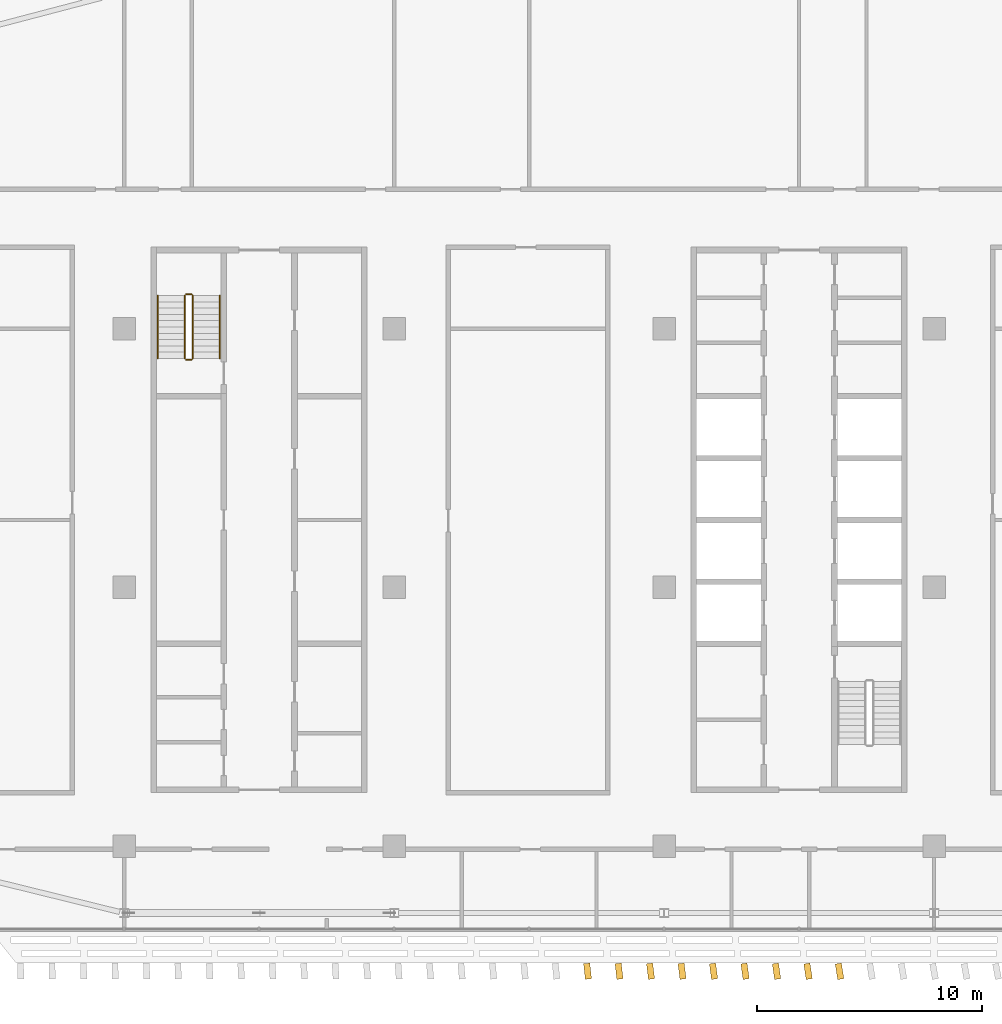
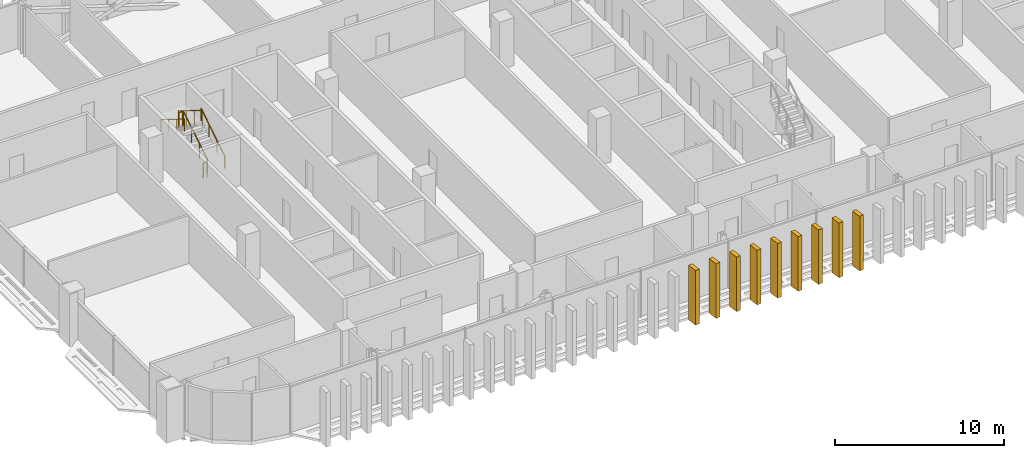
# One storey, part 28 of 34: 9 coverings, 6 railings.
"""IFC4 building model written with IfcOpenShell, lengths in metres."""

from ifc_helpers import new_model, si_unit, direction, frame, origin, origin_2d, place, context, subcontext, project, spatial, rectangle, circle, extrude, material, layer, layer_set, type_object, element, save


model = new_model("IFC4")

# Units and contexts
model_context = context("Model", 3, precision=1e-05, world=origin(), true_north=direction((0.0, 1.0)))
body_context = subcontext(model_context, "Body", "Model", "MODEL_VIEW")
ifc_project = project(units=[si_unit("LENGTHUNIT", "METRE"), si_unit("AREAUNIT", "SQUARE_METRE"), si_unit("VOLUMEUNIT", "CUBIC_METRE"), si_unit("PLANEANGLEUNIT", "RADIAN"), si_unit("MASSUNIT", "GRAM", prefix="KILO")], contexts=[model_context])

# Site, building, storey
site_placement = place(None, origin())
site = spatial("IfcSite", under=ifc_project, at=site_placement, CompositionType="ELEMENT")
building_placement = place(site_placement, origin())
building = spatial("IfcBuilding", under=site, at=building_placement, Name="Mahtab Terrace Research Tower", CompositionType="ELEMENT")
storey_placement = place(building_placement, frame((0.0, 0.0, 247.60009765625)))
storey = spatial("IfcBuildingStorey", under=building, at=storey_placement, Name="L60", CompositionType="ELEMENT", Elevation=247.60009765625)

# Railings
ifc_material_1 = material(Name="Stainless steel AISI 304", Category="steel")
railing_type_1 = type_object("IfcRailingType", Name="Stair guard 1100", PredefinedType="GUARDRAIL", material=ifc_material_1)
railing_1_placement = place(storey_placement, frame((-26.949951171875, 10.175048828125, 0.172607421875)))
element("IfcRailing", 1, at=railing_1_placement, inside=storey, type_object=railing_type_1, Name="L60 ST1 stair guard 1", PredefinedType="GUARDRAIL", context=body_context, shape_type="SweptSolid", body=[
    extrude(circle(Radius=0.02392578125, at=origin_2d()), frame((0.0, 0.0, 1.076171875), z_axis=(0.0, 0.851089632645, 0.525020415988), x_axis=(-1.0, 0.0, 0.0)), (0.0, 0.0, 1.0), 3.2900390625),
    extrude(circle(Radius=0.02099609375, at=origin_2d()), origin(), (0.0, 0.0, 1.0), 1.052001953125),
    extrude(circle(Radius=0.02099609375, at=origin_2d()), frame((0.0, 0.933349609375, 0.57568359375)), (0.0, 0.0, 1.0), 1.052001953125),
    extrude(circle(Radius=0.02099609375, at=origin_2d()), frame((0.0, 1.86669921875, 1.151611328125)), (0.0, 0.0, 1.0), 1.052001953125),
    extrude(circle(Radius=0.02099609375, at=origin_2d()), frame((0.0, 2.800048828125, 1.727294921875)), (0.0, 0.0, 1.0), 1.052001953125),
])
railing_2_placement = place(storey_placement, frame((-27.0, 13.02490234375, 1.89990234375)))
element("IfcRailing", 2, at=railing_2_placement, inside=storey, type_object=railing_type_1, Name="L60 ST1 stair guard 2", PredefinedType="GUARDRAIL", context=body_context, shape_type="SweptSolid", body=[
    extrude(circle(Radius=0.02392578125, at=origin_2d()), frame((0.0, 0.0, 1.076171875), z_axis=(-1.0, 0.0, 0.0), x_axis=(0.0, -1.0, 0.0)), (0.0, 0.0, 1.0), 0.25),
    extrude(circle(Radius=0.02099609375, at=origin_2d()), origin(), (0.0, 0.0, 1.0), 1.052001953125),
    extrude(circle(Radius=0.02099609375, at=origin_2d()), frame((-0.25, 0.0, 0.0)), (0.0, 0.0, 1.0), 1.052001953125),
])
railing_3_placement = place(storey_placement, frame((-27.300048828125, 12.97509765625, 2.072509765625)))
element("IfcRailing", 3, at=railing_3_placement, inside=storey, type_object=railing_type_1, Name="L60 ST1 stair guard 3", PredefinedType="GUARDRAIL", context=body_context, shape_type="SweptSolid", body=[
    extrude(circle(Radius=0.02392578125, at=origin_2d()), frame((0.0, 0.0, 1.076171875), z_axis=(0.0, -0.851089632645, 0.525020415988), x_axis=(1.0, 0.0, 0.0)), (0.0, 0.0, 1.0), 3.2900390625),
    extrude(circle(Radius=0.02099609375, at=origin_2d()), origin(), (0.0, 0.0, 1.0), 1.052001953125),
    extrude(circle(Radius=0.02099609375, at=origin_2d()), frame((0.0, -0.933349609375, 0.57568359375)), (0.0, 0.0, 1.0), 1.052001953125),
    extrude(circle(Radius=0.02099609375, at=origin_2d()), frame((0.0, -1.86669921875, 1.151611328125)), (0.0, 0.0, 1.0), 1.052001953125),
    extrude(circle(Radius=0.02099609375, at=origin_2d()), frame((0.0, -2.800048828125, 1.727294921875)), (0.0, 0.0, 1.0), 1.052001953125),
])
railing_4_placement = place(storey_placement, frame((-27.0, 10.125, 0.0)))
element("IfcRailing", 4, at=railing_4_placement, inside=storey, type_object=railing_type_1, Name="L60 ST1 stair guard 4", PredefinedType="GUARDRAIL", context=body_context, shape_type="SweptSolid", body=[
    extrude(circle(Radius=0.02392578125, at=origin_2d()), frame((0.0, 0.0, 1.076171875), z_axis=(-1.0, 0.0, 0.0), x_axis=(0.0, -1.0, 0.0)), (0.0, 0.0, 1.0), 0.25),
    extrude(circle(Radius=0.02099609375, at=origin_2d()), origin(), (0.0, 0.0, 1.0), 1.052001953125),
    extrude(circle(Radius=0.02099609375, at=origin_2d()), frame((-0.25, 0.0, 0.0)), (0.0, 0.0, 1.0), 1.052001953125),
])
railing_type_2 = type_object("IfcRailingType", Name="Stair handrail 900", PredefinedType="HANDRAIL", material=ifc_material_1)
railing_5_placement = place(storey_placement, frame((-25.75, 10.175048828125, 0.172607421875)))
element("IfcRailing", 5, at=railing_5_placement, inside=storey, type_object=railing_type_2, Name="L60 ST1 stair handrail 1", PredefinedType="HANDRAIL", context=body_context, shape_type="SweptSolid", body=[
    extrude(circle(Radius=0.02392578125, at=origin_2d()), frame((0.0, 0.0, 0.8759765625), z_axis=(0.0, 0.851089632645, 0.525020415988), x_axis=(-1.0, 0.0, 0.0)), (0.0, 0.0, 1.0), 3.2900390625),
    extrude(circle(Radius=0.02099609375, at=origin_2d()), origin(), (0.0, 0.0, 1.0), 0.851806640625),
    extrude(circle(Radius=0.02099609375, at=origin_2d()), frame((0.0, 0.933349609375, 0.57568359375)), (0.0, 0.0, 1.0), 0.851806640625),
    extrude(circle(Radius=0.02099609375, at=origin_2d()), frame((0.0, 1.86669921875, 1.151611328125)), (0.0, 0.0, 1.0), 0.851806640625),
    extrude(circle(Radius=0.02099609375, at=origin_2d()), frame((0.0, 2.800048828125, 1.727294921875)), (0.0, 0.0, 1.0), 0.851806640625),
])
railing_6_placement = place(storey_placement, frame((-28.5, 12.97509765625, 2.072509765625)))
element("IfcRailing", 6, at=railing_6_placement, inside=storey, type_object=railing_type_2, Name="L60 ST1 stair handrail 2", PredefinedType="HANDRAIL", context=body_context, shape_type="SweptSolid", body=[
    extrude(circle(Radius=0.02392578125, at=origin_2d()), frame((0.0, 0.0, 0.8759765625), z_axis=(0.0, -0.851089632645, 0.525020415988), x_axis=(1.0, 0.0, 0.0)), (0.0, 0.0, 1.0), 3.2900390625),
    extrude(circle(Radius=0.02099609375, at=origin_2d()), origin(), (0.0, 0.0, 1.0), 0.851806640625),
    extrude(circle(Radius=0.02099609375, at=origin_2d()), frame((0.0, -0.933349609375, 0.57568359375)), (0.0, 0.0, 1.0), 0.851806640625),
    extrude(circle(Radius=0.02099609375, at=origin_2d()), frame((0.0, -1.86669921875, 1.151611328125)), (0.0, 0.0, 1.0), 0.851806640625),
    extrude(circle(Radius=0.02099609375, at=origin_2d()), frame((0.0, -2.800048828125, 1.727294921875)), (0.0, 0.0, 1.0), 0.851806640625),
])

# Coverings
ifc_material_2 = material(Name="Bronze anodised aluminium", Category="aluminium")
ifc_layer = layer(ifc_material_2, 0.1201171875)
ifc_layer_set = layer_set([ifc_layer], Name="Vertical fin 700")
covering_type = type_object("IfcCoveringType", Name="Vertical fin 700", PredefinedType="CLADDING", material=ifc_layer_set)
for number, where, z_axis, x_axis, name in (
    (7, (-9.39990234375, -17.058349609375, -0.14990234375), (0.0, 0.0, 1.0), (0.993896946415, 0.110312555526, 0.0), "Fin L60 S19"),
    (8, (-8.0, -17.058837890625, -0.14990234375), (0.0, 0.0, 1.0), (0.993238357741, 0.116092914131, 0.0), "Fin L60 S20"),
    (9, (-6.60009765625, -17.0595703125, -0.14990234375), (0.0, 0.0, 1.0), (0.992546151641, 0.121869343405, 0.0), "Fin L60 S21"),
    (10, (-5.199951171875, -17.06005859375, -0.14990234375), (0.0, 0.0, 1.0), (0.991820351542, 0.127641647855, 0.0), "Fin L60 S22"),
    (11, (-3.800048828125, -17.060546875, -0.14990234375), (0.0, 0.0, 1.0), (0.991060982007, 0.133409632126, 0.0), "Fin L60 S23"),
    (12, (-2.39990234375, -17.06103515625, -0.14990234375), (0.0, 0.0, 1.0), (0.990268068742, 0.13917310096, 0.0), "Fin L60 S24"),
    (13, (-1.0, -17.0615234375, -0.14990234375), (0.0, 0.0, 1.0), (0.989441638582, 0.144931859301, 0.0), "Fin L60 S25"),
    (14, (0.39990234375, -17.06201171875, -0.14990234375), (0.0, 0.0, 1.0), (0.988581719496, 0.150685712255, 0.0), "Fin L60 S26"),
    (15, (1.800048828125, -17.0625, -0.14990234375), (0.0, 0.0, 1.0), (0.987688340595, 0.15643446504, 0.0), "Fin L60 S27"),
):
    element("IfcCovering", number, at=place(storey_placement, frame(where, z_axis=z_axis, x_axis=x_axis)), inside=storey, type_object=covering_type, Name=name, PredefinedType="CLADDING", context=body_context, shape_type="SweptSolid", body=[
        extrude(rectangle(XDim=0.280029296875, YDim=0.699951171875, at=origin_2d()), origin(), (0.0, 0.0, 1.0), 3.949951171875),
    ])

save(model, "model.ifc")
